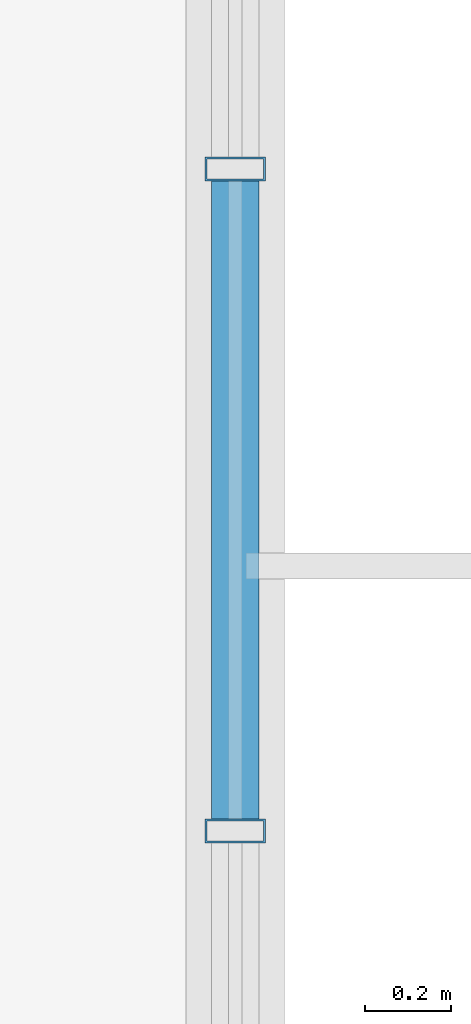
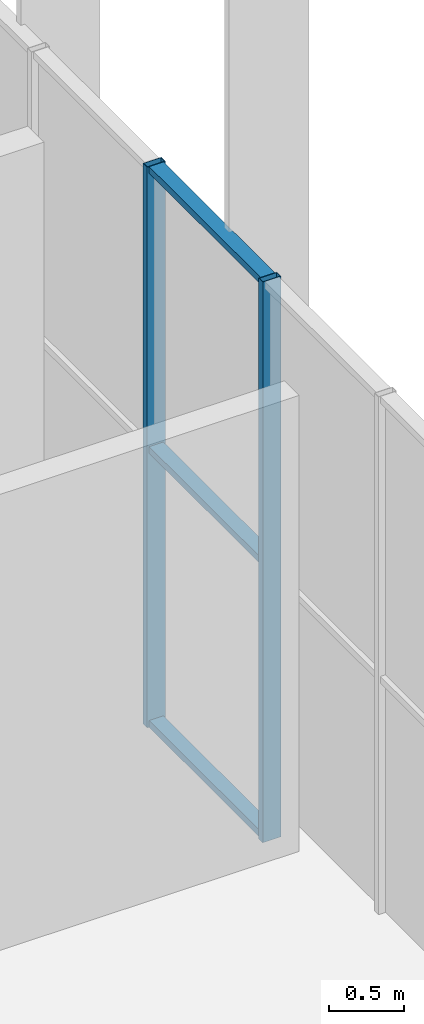
# One storey, part 204 of 324: 5 members, 1 element without a shape of its own.
"""IFC4 building model written with IfcOpenShell, lengths in metres."""

from ifc_helpers import new_model, si_unit, direction, frame, origin, origin_2d, place, context, subcontext, project, spatial, hollow_rectangle, extrude, material, layer, layer_set, material_profile, profile_set, type_object, element, aggregate, save


model = new_model("IFC4")

# Units and contexts
model_context = context("Model", 3, precision=1e-05, world=origin(), true_north=direction((0.0, 1.0)))
body_context = subcontext(model_context, "Body", "Model", "MODEL_VIEW")
ifc_project = project(units=[si_unit("LENGTHUNIT", "METRE"), si_unit("AREAUNIT", "SQUARE_METRE"), si_unit("VOLUMEUNIT", "CUBIC_METRE"), si_unit("PLANEANGLEUNIT", "RADIAN"), si_unit("MASSUNIT", "GRAM", prefix="KILO")], contexts=[model_context])

# Site, building, storey
site_placement = place(None, origin())
site = spatial("IfcSite", under=ifc_project, at=site_placement, CompositionType="ELEMENT")
building_placement = place(site_placement, origin())
building = spatial("IfcBuilding", under=site, at=building_placement, Name="Solvenia Promenade Tram Depot", CompositionType="ELEMENT")
storey_placement = place(building_placement, frame((0.0, 0.0, 4.5)))
storey = spatial("IfcBuildingStorey", under=building, at=storey_placement, Name="L01", CompositionType="ELEMENT", Elevation=4.5)

# Curtain wall, members
ifc_material = material(Name="Anodized aluminium AW-6063 T6", Category="aluminium")
ifc_layer = layer(ifc_material, 0.080078125, Name="Anodized aluminium AW-6063 T6", Category="aluminium")
ifc_layer_set = layer_set([ifc_layer], Name="Anodized aluminium AW-6063 T6")
curtain_wall_type = type_object("IfcCurtainWallType", Name="CW-Clerest-1500", PredefinedType="NOTDEFINED", material=ifc_layer_set)
curtain_wall_placement = place(storey_placement, origin())
curtain_wall = element("IfcCurtainWall", 1, at=curtain_wall_placement, inside=storey, type_object=curtain_wall_type, Name="Curtain Wall CW-V2E-L1-2", PredefinedType="NOTDEFINED")
ifc_material_profile_1 = material_profile(ifc_material, hollow_rectangle(XDim=0.139892578125, YDim=0.054931640625, WallThickness=0.00390625, at=origin_2d()), Name="ALU-M4", Category="aluminium")
ifc_profile_set_1 = profile_set([ifc_material_profile_1], Name="Anodized aluminium AW-6063 T6")
member_type_1 = type_object("IfcMemberType", Name="CWM-Mullion-4", PredefinedType="MULLION", material=ifc_profile_set_1)
member_1_placement = place(storey_placement, frame((186.0, 45.768798828125, -0.35009765625), z_axis=(0.0, 0.0, 1.0), x_axis=(-1.0, 0.0, 0.0)))
member_1 = element("IfcMember", 2, at=member_1_placement, type_object=member_type_1, Name="CW-4 mullion 6", PredefinedType="MULLION", context=body_context, shape_type="SweptSolid", body=[
    extrude(hollow_rectangle(XDim=0.139892578125, YDim=0.054931640625, WallThickness=0.00390625, at=origin_2d()), origin(), (0.0, 0.0, 1.0), 4.550048828125),
])
member_2_placement = place(storey_placement, frame((186.0, 47.306640625, -0.35009765625), z_axis=(0.0, 0.0, 1.0), x_axis=(-1.0, 0.0, 0.0)))
member_2 = element("IfcMember", 3, at=member_2_placement, type_object=member_type_1, Name="CW-4 mullion 7", PredefinedType="MULLION", context=body_context, shape_type="SweptSolid", body=[
    extrude(hollow_rectangle(XDim=0.139892578125, YDim=0.054931640625, WallThickness=0.00390625, at=origin_2d()), origin(), (0.0, 0.0, 1.0), 4.550048828125),
])
ifc_material_profile_2 = material_profile(ifc_material, hollow_rectangle(XDim=0.110107421875, YDim=0.054931640625, WallThickness=0.00390625, at=origin_2d()), Name="ALU-T4", Category="aluminium")
ifc_profile_set_2 = profile_set([ifc_material_profile_2], Name="Anodized aluminium AW-6063 T6")
member_type_2 = type_object("IfcMemberType", Name="CWT-Transom-4", PredefinedType="USERDEFINED", material=ifc_profile_set_2)
member_3_placement = place(storey_placement, frame((186.0, 45.79638671875, -0.322509765625), z_axis=(0.0, 1.0, 0.0), x_axis=(-1.0, 0.0, 0.0)))
member_3 = element("IfcMember", 4, at=member_3_placement, type_object=member_type_2, Name="CW-4 transom 6.1", ObjectType="TRANSOM", PredefinedType="USERDEFINED", context=body_context, shape_type="SweptSolid", body=[
    extrude(hollow_rectangle(XDim=0.110107421875, YDim=0.054931640625, WallThickness=0.00390625, at=origin_2d()), origin(), (0.0, 0.0, 1.0), 1.482666015625),
])
member_4_placement = place(storey_placement, frame((186.0, 45.79638671875, 1.89990234375), z_axis=(0.0, 1.0, 0.0), x_axis=(-1.0, 0.0, 0.0)))
member_4 = element("IfcMember", 5, at=member_4_placement, type_object=member_type_2, Name="CW-4 transom 6.2", ObjectType="TRANSOM", PredefinedType="USERDEFINED", context=body_context, shape_type="SweptSolid", body=[
    extrude(hollow_rectangle(XDim=0.110107421875, YDim=0.054931640625, WallThickness=0.00390625, at=origin_2d()), origin(), (0.0, 0.0, 1.0), 1.482666015625),
])
member_5_placement = place(storey_placement, frame((186.0, 45.79638671875, 4.172607421875), z_axis=(0.0, 1.0, 0.0), x_axis=(-1.0, 0.0, 0.0)))
member_5 = element("IfcMember", 6, at=member_5_placement, type_object=member_type_2, Name="CW-4 transom 6.3", ObjectType="TRANSOM", PredefinedType="USERDEFINED", context=body_context, shape_type="SweptSolid", body=[
    extrude(hollow_rectangle(XDim=0.110107421875, YDim=0.054931640625, WallThickness=0.00390625, at=origin_2d()), origin(), (0.0, 0.0, 1.0), 1.482666015625),
])
aggregate(curtain_wall, [member_1, member_2, member_3, member_4, member_5])

save(model, "model.ifc")
